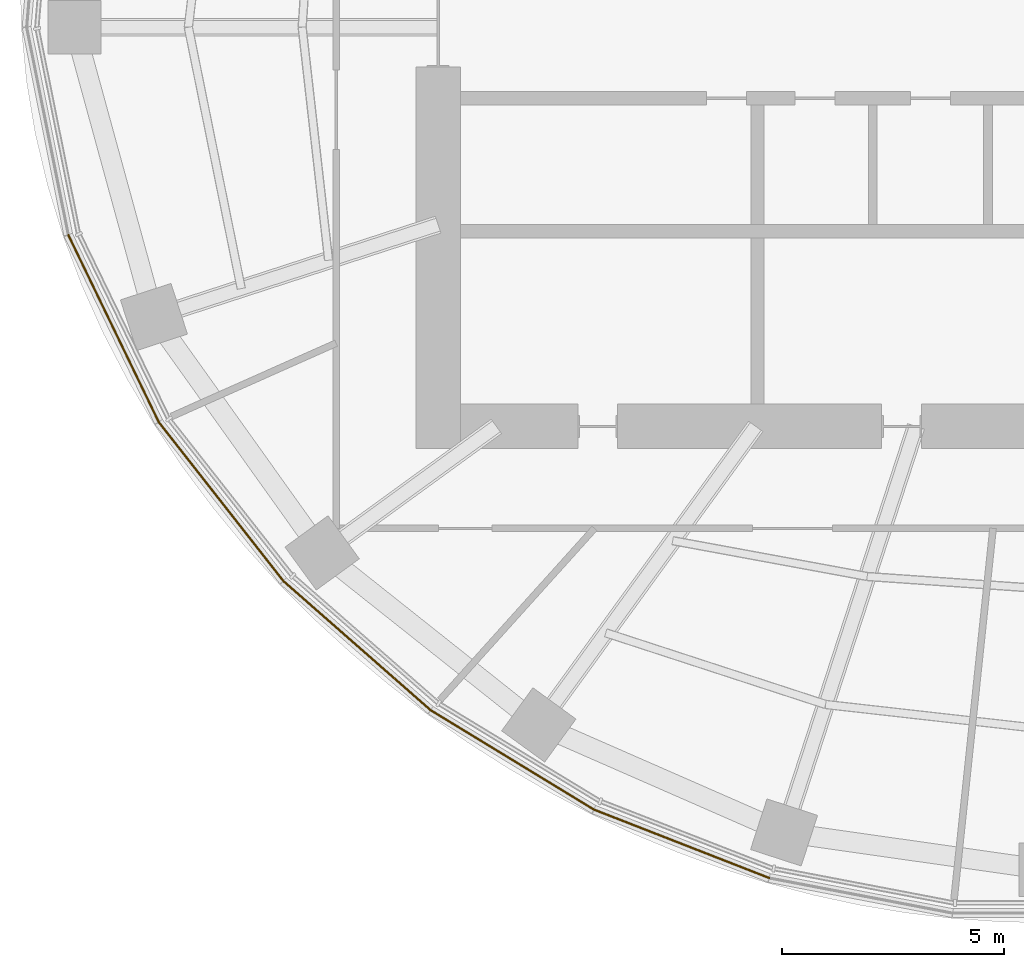
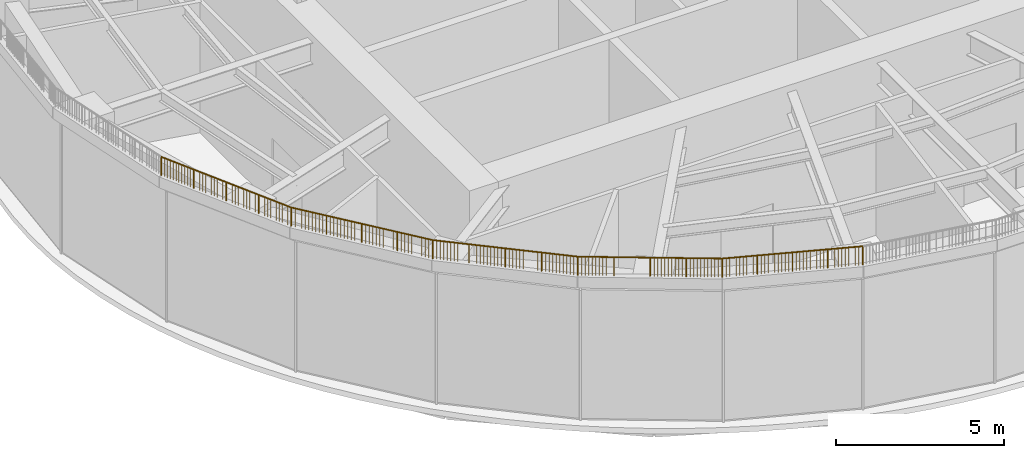
# One storey, part 13 of 19: 5 railings.
"""IFC4 building model written with IfcOpenShell, lengths in metres."""

from ifc_helpers import new_model, si_unit, direction, frame, origin, origin_2d, place, context, subcontext, project, spatial, circle, extrude, material, type_object, element, save


model = new_model("IFC4")

# Units and contexts
model_context = context("Model", 3, precision=1e-05, world=origin(), true_north=direction((0.0, 1.0)))
body_context = subcontext(model_context, "Body", "Model", "MODEL_VIEW")
ifc_project = project(units=[si_unit("LENGTHUNIT", "METRE"), si_unit("AREAUNIT", "SQUARE_METRE"), si_unit("VOLUMEUNIT", "CUBIC_METRE"), si_unit("PLANEANGLEUNIT", "RADIAN"), si_unit("MASSUNIT", "GRAM", prefix="KILO")], contexts=[model_context])

# Site, building, storey
site_placement = place(None, origin())
site = spatial("IfcSite", under=ifc_project, at=site_placement, CompositionType="ELEMENT")
building_placement = place(site_placement, origin())
building = spatial("IfcBuilding", under=site, at=building_placement, Name="Marramba Exchange Tower", CompositionType="ELEMENT")
storey_placement = place(building_placement, frame((0.0, 0.0, 277.0)))
storey = spatial("IfcBuildingStorey", under=building, at=storey_placement, Name="L67", CompositionType="ELEMENT", Elevation=277.0)

# Railings
ifc_material = material(Name="Galvanised steel guardrail", Category="steel")
railing_type = type_object("IfcRailingType", Name="Roof guardrail 1100", PredefinedType="GUARDRAIL", material=ifc_material)
railing_1_placement = place(storey_placement, frame((-22.0400390625, -4.684814453125, 5.39990234375)))
element("IfcRailing", 1, at=railing_1_placement, inside=storey, type_object=railing_type, Name="Roof guard Roof crown F17", PredefinedType="GUARDRAIL", context=body_context, shape_type="SweptSolid", body=[
    extrude(circle(Radius=0.02392578125, at=origin_2d()), frame((0.0, 0.0, 0.67578125), z_axis=(0.43525592316, -0.900306770692, 0.0), x_axis=(0.900306770692, 0.43525592316, 0.0)), (0.0, 0.0, 1.0), 4.68701171875),
    extrude(circle(Radius=0.02099609375, at=origin_2d()), origin(), (0.0, 0.0, 1.0), 0.65185546875),
    extrude(circle(Radius=0.02099609375, at=origin_2d()), frame((0.510009765625, -1.054931640625, 0.0)), (0.0, 0.0, 1.0), 0.65185546875),
    extrude(circle(Radius=0.02099609375, at=origin_2d()), frame((1.02001953125, -2.10986328125, 0.0)), (0.0, 0.0, 1.0), 0.65185546875),
    extrude(circle(Radius=0.02099609375, at=origin_2d()), frame((1.530029296875, -3.164794921875, 0.0)), (0.0, 0.0, 1.0), 0.65185546875),
    extrude(circle(Radius=0.02099609375, at=origin_2d()), frame((2.0400390625, -4.2197265625, 0.0)), (0.0, 0.0, 1.0), 0.65185546875),
    extrude(circle(Radius=0.006103515625, at=origin_2d()), frame((0.0517578125, -0.10693359375, 0.0)), (0.0, 0.0, 1.0), 0.65185546875),
    extrude(circle(Radius=0.006103515625, at=origin_2d()), frame((0.096923828125, -0.200439453125, 0.0)), (0.0, 0.0, 1.0), 0.65185546875),
    extrude(circle(Radius=0.006103515625, at=origin_2d()), frame((0.14208984375, -0.2939453125, 0.0)), (0.0, 0.0, 1.0), 0.65185546875),
    extrude(circle(Radius=0.006103515625, at=origin_2d()), frame((0.187255859375, -0.38720703125, 0.0)), (0.0, 0.0, 1.0), 0.65185546875),
    extrude(circle(Radius=0.006103515625, at=origin_2d()), frame((0.232421875, -0.480712890625, 0.0)), (0.0, 0.0, 1.0), 0.65185546875),
    extrude(circle(Radius=0.006103515625, at=origin_2d()), frame((0.277587890625, -0.57421875, 0.0)), (0.0, 0.0, 1.0), 0.65185546875),
    extrude(circle(Radius=0.006103515625, at=origin_2d()), frame((0.32275390625, -0.667724609375, 0.0)), (0.0, 0.0, 1.0), 0.65185546875),
    extrude(circle(Radius=0.006103515625, at=origin_2d()), frame((0.367919921875, -0.760986328125, 0.0)), (0.0, 0.0, 1.0), 0.65185546875),
    extrude(circle(Radius=0.006103515625, at=origin_2d()), frame((0.4130859375, -0.8544921875, 0.0)), (0.0, 0.0, 1.0), 0.65185546875),
    extrude(circle(Radius=0.006103515625, at=origin_2d()), frame((0.458251953125, -0.947998046875, 0.0)), (0.0, 0.0, 1.0), 0.65185546875),
    extrude(circle(Radius=0.006103515625, at=origin_2d()), frame((0.561767578125, -1.161865234375, 0.0)), (0.0, 0.0, 1.0), 0.65185546875),
    extrude(circle(Radius=0.006103515625, at=origin_2d()), frame((0.60693359375, -1.25537109375, 0.0)), (0.0, 0.0, 1.0), 0.65185546875),
    extrude(circle(Radius=0.006103515625, at=origin_2d()), frame((0.652099609375, -1.348876953125, 0.0)), (0.0, 0.0, 1.0), 0.65185546875),
    extrude(circle(Radius=0.006103515625, at=origin_2d()), frame((0.697265625, -1.442138671875, 0.0)), (0.0, 0.0, 1.0), 0.65185546875),
    extrude(circle(Radius=0.006103515625, at=origin_2d()), frame((0.742431640625, -1.53564453125, 0.0)), (0.0, 0.0, 1.0), 0.65185546875),
    extrude(circle(Radius=0.006103515625, at=origin_2d()), frame((0.78759765625, -1.629150390625, 0.0)), (0.0, 0.0, 1.0), 0.65185546875),
    extrude(circle(Radius=0.006103515625, at=origin_2d()), frame((0.832763671875, -1.72265625, 0.0)), (0.0, 0.0, 1.0), 0.65185546875),
    extrude(circle(Radius=0.006103515625, at=origin_2d()), frame((0.8779296875, -1.81591796875, 0.0)), (0.0, 0.0, 1.0), 0.65185546875),
    extrude(circle(Radius=0.006103515625, at=origin_2d()), frame((0.923095703125, -1.909423828125, 0.0)), (0.0, 0.0, 1.0), 0.65185546875),
    extrude(circle(Radius=0.006103515625, at=origin_2d()), frame((0.96826171875, -2.0029296875, 0.0)), (0.0, 0.0, 1.0), 0.65185546875),
    extrude(circle(Radius=0.006103515625, at=origin_2d()), frame((1.07177734375, -2.216796875, 0.0)), (0.0, 0.0, 1.0), 0.65185546875),
    extrude(circle(Radius=0.006103515625, at=origin_2d()), frame((1.116943359375, -2.310302734375, 0.0)), (0.0, 0.0, 1.0), 0.65185546875),
    extrude(circle(Radius=0.006103515625, at=origin_2d()), frame((1.162109375, -2.40380859375, 0.0)), (0.0, 0.0, 1.0), 0.65185546875),
    extrude(circle(Radius=0.006103515625, at=origin_2d()), frame((1.207275390625, -2.4970703125, 0.0)), (0.0, 0.0, 1.0), 0.65185546875),
    extrude(circle(Radius=0.006103515625, at=origin_2d()), frame((1.25244140625, -2.590576171875, 0.0)), (0.0, 0.0, 1.0), 0.65185546875),
    extrude(circle(Radius=0.006103515625, at=origin_2d()), frame((1.297607421875, -2.68408203125, 0.0)), (0.0, 0.0, 1.0), 0.65185546875),
    extrude(circle(Radius=0.006103515625, at=origin_2d()), frame((1.3427734375, -2.777587890625, 0.0)), (0.0, 0.0, 1.0), 0.65185546875),
    extrude(circle(Radius=0.006103515625, at=origin_2d()), frame((1.387939453125, -2.870849609375, 0.0)), (0.0, 0.0, 1.0), 0.65185546875),
    extrude(circle(Radius=0.006103515625, at=origin_2d()), frame((1.43310546875, -2.96435546875, 0.0)), (0.0, 0.0, 1.0), 0.65185546875),
    extrude(circle(Radius=0.006103515625, at=origin_2d()), frame((1.478271484375, -3.057861328125, 0.0)), (0.0, 0.0, 1.0), 0.65185546875),
    extrude(circle(Radius=0.006103515625, at=origin_2d()), frame((1.581787109375, -3.271728515625, 0.0)), (0.0, 0.0, 1.0), 0.65185546875),
    extrude(circle(Radius=0.006103515625, at=origin_2d()), frame((1.626953125, -3.365234375, 0.0)), (0.0, 0.0, 1.0), 0.65185546875),
    extrude(circle(Radius=0.006103515625, at=origin_2d()), frame((1.672119140625, -3.458740234375, 0.0)), (0.0, 0.0, 1.0), 0.65185546875),
    extrude(circle(Radius=0.006103515625, at=origin_2d()), frame((1.71728515625, -3.552001953125, 0.0)), (0.0, 0.0, 1.0), 0.65185546875),
    extrude(circle(Radius=0.006103515625, at=origin_2d()), frame((1.762451171875, -3.6455078125, 0.0)), (0.0, 0.0, 1.0), 0.65185546875),
    extrude(circle(Radius=0.006103515625, at=origin_2d()), frame((1.8076171875, -3.739013671875, 0.0)), (0.0, 0.0, 1.0), 0.65185546875),
    extrude(circle(Radius=0.006103515625, at=origin_2d()), frame((1.852783203125, -3.83251953125, 0.0)), (0.0, 0.0, 1.0), 0.65185546875),
    extrude(circle(Radius=0.006103515625, at=origin_2d()), frame((1.89794921875, -3.92578125, 0.0)), (0.0, 0.0, 1.0), 0.65185546875),
    extrude(circle(Radius=0.006103515625, at=origin_2d()), frame((1.943115234375, -4.019287109375, 0.0)), (0.0, 0.0, 1.0), 0.65185546875),
    extrude(circle(Radius=0.006103515625, at=origin_2d()), frame((1.98828125, -4.11279296875, 0.0)), (0.0, 0.0, 1.0), 0.65185546875),
])
railing_2_placement = place(storey_placement, frame((-20.0, -8.904541015625, 5.39990234375)))
element("IfcRailing", 2, at=railing_2_placement, inside=storey, type_object=railing_type, Name="Roof guard Roof crown F18", PredefinedType="GUARDRAIL", context=body_context, shape_type="SweptSolid", body=[
    extrude(circle(Radius=0.02392578125, at=origin_2d()), frame((0.0, 0.0, 0.67578125), z_axis=(0.617115858167, -0.786872300694, 0.0), x_axis=(0.786872300694, 0.617115858167, 0.0)), (0.0, 0.0, 1.0), 4.5546875),
    extrude(circle(Radius=0.02099609375, at=origin_2d()), origin(), (0.0, 0.0, 1.0), 0.65185546875),
    extrude(circle(Radius=0.02099609375, at=origin_2d()), frame((0.70263671875, -0.89599609375, 0.0)), (0.0, 0.0, 1.0), 0.65185546875),
    extrude(circle(Radius=0.02099609375, at=origin_2d()), frame((1.4052734375, -1.7919921875, 0.0)), (0.0, 0.0, 1.0), 0.65185546875),
    extrude(circle(Radius=0.02099609375, at=origin_2d()), frame((2.108154296875, -2.68798828125, 0.0)), (0.0, 0.0, 1.0), 0.65185546875),
    extrude(circle(Radius=0.02099609375, at=origin_2d()), frame((2.810791015625, -3.583984375, 0.0)), (0.0, 0.0, 1.0), 0.65185546875),
    extrude(circle(Radius=0.006103515625, at=origin_2d()), frame((0.07763671875, -0.09912109375, 0.0)), (0.0, 0.0, 1.0), 0.65185546875),
    extrude(circle(Radius=0.006103515625, at=origin_2d()), frame((0.14599609375, -0.186279296875, 0.0)), (0.0, 0.0, 1.0), 0.65185546875),
    extrude(circle(Radius=0.006103515625, at=origin_2d()), frame((0.214599609375, -0.2734375, 0.0)), (0.0, 0.0, 1.0), 0.65185546875),
    extrude(circle(Radius=0.006103515625, at=origin_2d()), frame((0.282958984375, -0.36083984375, 0.0)), (0.0, 0.0, 1.0), 0.65185546875),
    extrude(circle(Radius=0.006103515625, at=origin_2d()), frame((0.351318359375, -0.447998046875, 0.0)), (0.0, 0.0, 1.0), 0.65185546875),
    extrude(circle(Radius=0.006103515625, at=origin_2d()), frame((0.419677734375, -0.53515625, 0.0)), (0.0, 0.0, 1.0), 0.65185546875),
    extrude(circle(Radius=0.006103515625, at=origin_2d()), frame((0.48828125, -0.62255859375, 0.0)), (0.0, 0.0, 1.0), 0.65185546875),
    extrude(circle(Radius=0.006103515625, at=origin_2d()), frame((0.556640625, -0.709716796875, 0.0)), (0.0, 0.0, 1.0), 0.65185546875),
    extrude(circle(Radius=0.006103515625, at=origin_2d()), frame((0.625, -0.796875, 0.0)), (0.0, 0.0, 1.0), 0.65185546875),
    extrude(circle(Radius=0.006103515625, at=origin_2d()), frame((0.7802734375, -0.9951171875, 0.0)), (0.0, 0.0, 1.0), 0.65185546875),
    extrude(circle(Radius=0.006103515625, at=origin_2d()), frame((0.848876953125, -1.082275390625, 0.0)), (0.0, 0.0, 1.0), 0.65185546875),
    extrude(circle(Radius=0.006103515625, at=origin_2d()), frame((0.917236328125, -1.16943359375, 0.0)), (0.0, 0.0, 1.0), 0.65185546875),
    extrude(circle(Radius=0.006103515625, at=origin_2d()), frame((0.985595703125, -1.2568359375, 0.0)), (0.0, 0.0, 1.0), 0.65185546875),
    extrude(circle(Radius=0.006103515625, at=origin_2d()), frame((1.053955078125, -1.343994140625, 0.0)), (0.0, 0.0, 1.0), 0.65185546875),
    extrude(circle(Radius=0.006103515625, at=origin_2d()), frame((1.12255859375, -1.43115234375, 0.0)), (0.0, 0.0, 1.0), 0.65185546875),
    extrude(circle(Radius=0.006103515625, at=origin_2d()), frame((1.19091796875, -1.5185546875, 0.0)), (0.0, 0.0, 1.0), 0.65185546875),
    extrude(circle(Radius=0.006103515625, at=origin_2d()), frame((1.25927734375, -1.605712890625, 0.0)), (0.0, 0.0, 1.0), 0.65185546875),
    extrude(circle(Radius=0.006103515625, at=origin_2d()), frame((1.32763671875, -1.69287109375, 0.0)), (0.0, 0.0, 1.0), 0.65185546875),
    extrude(circle(Radius=0.006103515625, at=origin_2d()), frame((1.483154296875, -1.89111328125, 0.0)), (0.0, 0.0, 1.0), 0.65185546875),
    extrude(circle(Radius=0.006103515625, at=origin_2d()), frame((1.551513671875, -1.978271484375, 0.0)), (0.0, 0.0, 1.0), 0.65185546875),
    extrude(circle(Radius=0.006103515625, at=origin_2d()), frame((1.619873046875, -2.0654296875, 0.0)), (0.0, 0.0, 1.0), 0.65185546875),
    extrude(circle(Radius=0.006103515625, at=origin_2d()), frame((1.688232421875, -2.15283203125, 0.0)), (0.0, 0.0, 1.0), 0.65185546875),
    extrude(circle(Radius=0.006103515625, at=origin_2d()), frame((1.7568359375, -2.239990234375, 0.0)), (0.0, 0.0, 1.0), 0.65185546875),
    extrude(circle(Radius=0.006103515625, at=origin_2d()), frame((1.8251953125, -2.3271484375, 0.0)), (0.0, 0.0, 1.0), 0.65185546875),
    extrude(circle(Radius=0.006103515625, at=origin_2d()), frame((1.8935546875, -2.41455078125, 0.0)), (0.0, 0.0, 1.0), 0.65185546875),
    extrude(circle(Radius=0.006103515625, at=origin_2d()), frame((1.9619140625, -2.501708984375, 0.0)), (0.0, 0.0, 1.0), 0.65185546875),
    extrude(circle(Radius=0.006103515625, at=origin_2d()), frame((2.030517578125, -2.5888671875, 0.0)), (0.0, 0.0, 1.0), 0.65185546875),
    extrude(circle(Radius=0.006103515625, at=origin_2d()), frame((2.185791015625, -2.787109375, 0.0)), (0.0, 0.0, 1.0), 0.65185546875),
    extrude(circle(Radius=0.006103515625, at=origin_2d()), frame((2.254150390625, -2.874267578125, 0.0)), (0.0, 0.0, 1.0), 0.65185546875),
    extrude(circle(Radius=0.006103515625, at=origin_2d()), frame((2.322509765625, -2.96142578125, 0.0)), (0.0, 0.0, 1.0), 0.65185546875),
    extrude(circle(Radius=0.006103515625, at=origin_2d()), frame((2.39111328125, -3.048828125, 0.0)), (0.0, 0.0, 1.0), 0.65185546875),
    extrude(circle(Radius=0.006103515625, at=origin_2d()), frame((2.45947265625, -3.135986328125, 0.0)), (0.0, 0.0, 1.0), 0.65185546875),
    extrude(circle(Radius=0.006103515625, at=origin_2d()), frame((2.52783203125, -3.22314453125, 0.0)), (0.0, 0.0, 1.0), 0.65185546875),
    extrude(circle(Radius=0.006103515625, at=origin_2d()), frame((2.59619140625, -3.310546875, 0.0)), (0.0, 0.0, 1.0), 0.65185546875),
    extrude(circle(Radius=0.006103515625, at=origin_2d()), frame((2.664794921875, -3.397705078125, 0.0)), (0.0, 0.0, 1.0), 0.65185546875),
    extrude(circle(Radius=0.006103515625, at=origin_2d()), frame((2.733154296875, -3.48486328125, 0.0)), (0.0, 0.0, 1.0), 0.65185546875),
])
railing_3_placement = place(storey_placement, frame((-17.189208984375, -12.488525390625, 5.39990234375)))
element("IfcRailing", 3, at=railing_3_placement, inside=storey, type_object=railing_type, Name="Roof guard Roof crown F19", PredefinedType="GUARDRAIL", context=body_context, shape_type="SweptSolid", body=[
    extrude(circle(Radius=0.02392578125, at=origin_2d()), frame((0.0, 0.0, 0.67578125), z_axis=(0.751898477354, -0.659278908925, 0.0), x_axis=(0.659278908925, 0.751898477354, 0.0)), (0.0, 0.0, 1.0), 4.41796875),
    extrude(circle(Radius=0.02099609375, at=origin_2d()), origin(), (0.0, 0.0, 1.0), 0.65185546875),
    extrude(circle(Radius=0.02099609375, at=origin_2d()), frame((0.83056640625, -0.72802734375, 0.0)), (0.0, 0.0, 1.0), 0.65185546875),
    extrude(circle(Radius=0.02099609375, at=origin_2d()), frame((1.660888671875, -1.456298828125, 0.0)), (0.0, 0.0, 1.0), 0.65185546875),
    extrude(circle(Radius=0.02099609375, at=origin_2d()), frame((2.4912109375, -2.1845703125, 0.0)), (0.0, 0.0, 1.0), 0.65185546875),
    extrude(circle(Radius=0.02099609375, at=origin_2d()), frame((3.32177734375, -2.91259765625, 0.0)), (0.0, 0.0, 1.0), 0.65185546875),
    extrude(circle(Radius=0.006103515625, at=origin_2d()), frame((0.092041015625, -0.080810546875, 0.0)), (0.0, 0.0, 1.0), 0.65185546875),
    extrude(circle(Radius=0.006103515625, at=origin_2d()), frame((0.1728515625, -0.151611328125, 0.0)), (0.0, 0.0, 1.0), 0.65185546875),
    extrude(circle(Radius=0.006103515625, at=origin_2d()), frame((0.253662109375, -0.222412109375, 0.0)), (0.0, 0.0, 1.0), 0.65185546875),
    extrude(circle(Radius=0.006103515625, at=origin_2d()), frame((0.33447265625, -0.293212890625, 0.0)), (0.0, 0.0, 1.0), 0.65185546875),
    extrude(circle(Radius=0.006103515625, at=origin_2d()), frame((0.415283203125, -0.364013671875, 0.0)), (0.0, 0.0, 1.0), 0.65185546875),
    extrude(circle(Radius=0.006103515625, at=origin_2d()), frame((0.49609375, -0.434814453125, 0.0)), (0.0, 0.0, 1.0), 0.65185546875),
    extrude(circle(Radius=0.006103515625, at=origin_2d()), frame((0.576904296875, -0.505859375, 0.0)), (0.0, 0.0, 1.0), 0.65185546875),
    extrude(circle(Radius=0.006103515625, at=origin_2d()), frame((0.657470703125, -0.57666015625, 0.0)), (0.0, 0.0, 1.0), 0.65185546875),
    extrude(circle(Radius=0.006103515625, at=origin_2d()), frame((0.73828125, -0.6474609375, 0.0)), (0.0, 0.0, 1.0), 0.65185546875),
    extrude(circle(Radius=0.006103515625, at=origin_2d()), frame((0.922607421875, -0.808837890625, 0.0)), (0.0, 0.0, 1.0), 0.65185546875),
    extrude(circle(Radius=0.006103515625, at=origin_2d()), frame((1.00341796875, -0.879638671875, 0.0)), (0.0, 0.0, 1.0), 0.65185546875),
    extrude(circle(Radius=0.006103515625, at=origin_2d()), frame((1.083984375, -0.950439453125, 0.0)), (0.0, 0.0, 1.0), 0.65185546875),
    extrude(circle(Radius=0.006103515625, at=origin_2d()), frame((1.164794921875, -1.021484375, 0.0)), (0.0, 0.0, 1.0), 0.65185546875),
    extrude(circle(Radius=0.006103515625, at=origin_2d()), frame((1.24560546875, -1.09228515625, 0.0)), (0.0, 0.0, 1.0), 0.65185546875),
    extrude(circle(Radius=0.006103515625, at=origin_2d()), frame((1.326416015625, -1.1630859375, 0.0)), (0.0, 0.0, 1.0), 0.65185546875),
    extrude(circle(Radius=0.006103515625, at=origin_2d()), frame((1.4072265625, -1.23388671875, 0.0)), (0.0, 0.0, 1.0), 0.65185546875),
    extrude(circle(Radius=0.006103515625, at=origin_2d()), frame((1.488037109375, -1.3046875, 0.0)), (0.0, 0.0, 1.0), 0.65185546875),
    extrude(circle(Radius=0.006103515625, at=origin_2d()), frame((1.56884765625, -1.37548828125, 0.0)), (0.0, 0.0, 1.0), 0.65185546875),
    extrude(circle(Radius=0.006103515625, at=origin_2d()), frame((1.7529296875, -1.537109375, 0.0)), (0.0, 0.0, 1.0), 0.65185546875),
    extrude(circle(Radius=0.006103515625, at=origin_2d()), frame((1.833740234375, -1.60791015625, 0.0)), (0.0, 0.0, 1.0), 0.65185546875),
    extrude(circle(Radius=0.006103515625, at=origin_2d()), frame((1.91455078125, -1.6787109375, 0.0)), (0.0, 0.0, 1.0), 0.65185546875),
    extrude(circle(Radius=0.006103515625, at=origin_2d()), frame((1.995361328125, -1.74951171875, 0.0)), (0.0, 0.0, 1.0), 0.65185546875),
    extrude(circle(Radius=0.006103515625, at=origin_2d()), frame((2.076171875, -1.8203125, 0.0)), (0.0, 0.0, 1.0), 0.65185546875),
    extrude(circle(Radius=0.006103515625, at=origin_2d()), frame((2.156982421875, -1.89111328125, 0.0)), (0.0, 0.0, 1.0), 0.65185546875),
    extrude(circle(Radius=0.006103515625, at=origin_2d()), frame((2.23779296875, -1.962158203125, 0.0)), (0.0, 0.0, 1.0), 0.65185546875),
    extrude(circle(Radius=0.006103515625, at=origin_2d()), frame((2.318359375, -2.032958984375, 0.0)), (0.0, 0.0, 1.0), 0.65185546875),
    extrude(circle(Radius=0.006103515625, at=origin_2d()), frame((2.399169921875, -2.103759765625, 0.0)), (0.0, 0.0, 1.0), 0.65185546875),
    extrude(circle(Radius=0.006103515625, at=origin_2d()), frame((2.58349609375, -2.26513671875, 0.0)), (0.0, 0.0, 1.0), 0.65185546875),
    extrude(circle(Radius=0.006103515625, at=origin_2d()), frame((2.664306640625, -2.3359375, 0.0)), (0.0, 0.0, 1.0), 0.65185546875),
    extrude(circle(Radius=0.006103515625, at=origin_2d()), frame((2.744873046875, -2.40673828125, 0.0)), (0.0, 0.0, 1.0), 0.65185546875),
    extrude(circle(Radius=0.006103515625, at=origin_2d()), frame((2.82568359375, -2.477783203125, 0.0)), (0.0, 0.0, 1.0), 0.65185546875),
    extrude(circle(Radius=0.006103515625, at=origin_2d()), frame((2.906494140625, -2.548583984375, 0.0)), (0.0, 0.0, 1.0), 0.65185546875),
    extrude(circle(Radius=0.006103515625, at=origin_2d()), frame((2.9873046875, -2.619384765625, 0.0)), (0.0, 0.0, 1.0), 0.65185546875),
    extrude(circle(Radius=0.006103515625, at=origin_2d()), frame((3.068115234375, -2.690185546875, 0.0)), (0.0, 0.0, 1.0), 0.65185546875),
    extrude(circle(Radius=0.006103515625, at=origin_2d()), frame((3.14892578125, -2.760986328125, 0.0)), (0.0, 0.0, 1.0), 0.65185546875),
    extrude(circle(Radius=0.006103515625, at=origin_2d()), frame((3.229736328125, -2.831787109375, 0.0)), (0.0, 0.0, 1.0), 0.65185546875),
])
railing_4_placement = place(storey_placement, frame((-13.867431640625, -15.401123046875, 5.39990234375)))
element("IfcRailing", 4, at=railing_4_placement, inside=storey, type_object=railing_type, Name="Roof guard Roof crown F20", PredefinedType="GUARDRAIL", context=body_context, shape_type="SweptSolid", body=[
    extrude(circle(Radius=0.02392578125, at=origin_2d()), frame((0.0, 0.0, 0.67578125), z_axis=(0.854217149251, -0.519916398977, 0.0), x_axis=(0.519916398977, 0.854217149251, 0.0)), (0.0, 0.0, 1.0), 4.310302734375),
    extrude(circle(Radius=0.02099609375, at=origin_2d()), origin(), (0.0, 0.0, 1.0), 0.65185546875),
    extrude(circle(Radius=0.02099609375, at=origin_2d()), frame((0.92041015625, -0.560302734375, 0.0)), (0.0, 0.0, 1.0), 0.65185546875),
    extrude(circle(Radius=0.02099609375, at=origin_2d()), frame((1.8408203125, -1.12060546875, 0.0)), (0.0, 0.0, 1.0), 0.65185546875),
    extrude(circle(Radius=0.02099609375, at=origin_2d()), frame((2.761474609375, -1.6806640625, 0.0)), (0.0, 0.0, 1.0), 0.65185546875),
    extrude(circle(Radius=0.02099609375, at=origin_2d()), frame((3.681884765625, -2.240966796875, 0.0)), (0.0, 0.0, 1.0), 0.65185546875),
    extrude(circle(Radius=0.006103515625, at=origin_2d()), frame((0.102294921875, -0.062255859375, 0.0)), (0.0, 0.0, 1.0), 0.65185546875),
    extrude(circle(Radius=0.006103515625, at=origin_2d()), frame((0.19189453125, -0.11669921875, 0.0)), (0.0, 0.0, 1.0), 0.65185546875),
    extrude(circle(Radius=0.006103515625, at=origin_2d()), frame((0.28125, -0.171142578125, 0.0)), (0.0, 0.0, 1.0), 0.65185546875),
    extrude(circle(Radius=0.006103515625, at=origin_2d()), frame((0.370849609375, -0.2255859375, 0.0)), (0.0, 0.0, 1.0), 0.65185546875),
    extrude(circle(Radius=0.006103515625, at=origin_2d()), frame((0.460205078125, -0.280029296875, 0.0)), (0.0, 0.0, 1.0), 0.65185546875),
    extrude(circle(Radius=0.006103515625, at=origin_2d()), frame((0.5498046875, -0.33447265625, 0.0)), (0.0, 0.0, 1.0), 0.65185546875),
    extrude(circle(Radius=0.006103515625, at=origin_2d()), frame((0.63916015625, -0.38916015625, 0.0)), (0.0, 0.0, 1.0), 0.65185546875),
    extrude(circle(Radius=0.006103515625, at=origin_2d()), frame((0.728759765625, -0.443603515625, 0.0)), (0.0, 0.0, 1.0), 0.65185546875),
    extrude(circle(Radius=0.006103515625, at=origin_2d()), frame((0.818115234375, -0.498046875, 0.0)), (0.0, 0.0, 1.0), 0.65185546875),
    extrude(circle(Radius=0.006103515625, at=origin_2d()), frame((1.022705078125, -0.62255859375, 0.0)), (0.0, 0.0, 1.0), 0.65185546875),
    extrude(circle(Radius=0.006103515625, at=origin_2d()), frame((1.1123046875, -0.677001953125, 0.0)), (0.0, 0.0, 1.0), 0.65185546875),
    extrude(circle(Radius=0.006103515625, at=origin_2d()), frame((1.20166015625, -0.7314453125, 0.0)), (0.0, 0.0, 1.0), 0.65185546875),
    extrude(circle(Radius=0.006103515625, at=origin_2d()), frame((1.291259765625, -0.785888671875, 0.0)), (0.0, 0.0, 1.0), 0.65185546875),
    extrude(circle(Radius=0.006103515625, at=origin_2d()), frame((1.380615234375, -0.84033203125, 0.0)), (0.0, 0.0, 1.0), 0.65185546875),
    extrude(circle(Radius=0.006103515625, at=origin_2d()), frame((1.47021484375, -0.894775390625, 0.0)), (0.0, 0.0, 1.0), 0.65185546875),
    extrude(circle(Radius=0.006103515625, at=origin_2d()), frame((1.5595703125, -0.94921875, 0.0)), (0.0, 0.0, 1.0), 0.65185546875),
    extrude(circle(Radius=0.006103515625, at=origin_2d()), frame((1.649169921875, -1.003662109375, 0.0)), (0.0, 0.0, 1.0), 0.65185546875),
    extrude(circle(Radius=0.006103515625, at=origin_2d()), frame((1.738525390625, -1.05810546875, 0.0)), (0.0, 0.0, 1.0), 0.65185546875),
    extrude(circle(Radius=0.006103515625, at=origin_2d()), frame((1.943359375, -1.182861328125, 0.0)), (0.0, 0.0, 1.0), 0.65185546875),
    extrude(circle(Radius=0.006103515625, at=origin_2d()), frame((2.03271484375, -1.2373046875, 0.0)), (0.0, 0.0, 1.0), 0.65185546875),
    extrude(circle(Radius=0.006103515625, at=origin_2d()), frame((2.122314453125, -1.291748046875, 0.0)), (0.0, 0.0, 1.0), 0.65185546875),
    extrude(circle(Radius=0.006103515625, at=origin_2d()), frame((2.211669921875, -1.34619140625, 0.0)), (0.0, 0.0, 1.0), 0.65185546875),
    extrude(circle(Radius=0.006103515625, at=origin_2d()), frame((2.30126953125, -1.400634765625, 0.0)), (0.0, 0.0, 1.0), 0.65185546875),
    extrude(circle(Radius=0.006103515625, at=origin_2d()), frame((2.390625, -1.455078125, 0.0)), (0.0, 0.0, 1.0), 0.65185546875),
    extrude(circle(Radius=0.006103515625, at=origin_2d()), frame((2.480224609375, -1.509521484375, 0.0)), (0.0, 0.0, 1.0), 0.65185546875),
    extrude(circle(Radius=0.006103515625, at=origin_2d()), frame((2.569580078125, -1.56396484375, 0.0)), (0.0, 0.0, 1.0), 0.65185546875),
    extrude(circle(Radius=0.006103515625, at=origin_2d()), frame((2.6591796875, -1.618408203125, 0.0)), (0.0, 0.0, 1.0), 0.65185546875),
    extrude(circle(Radius=0.006103515625, at=origin_2d()), frame((2.86376953125, -1.742919921875, 0.0)), (0.0, 0.0, 1.0), 0.65185546875),
    extrude(circle(Radius=0.006103515625, at=origin_2d()), frame((2.953125, -1.79736328125, 0.0)), (0.0, 0.0, 1.0), 0.65185546875),
    extrude(circle(Radius=0.006103515625, at=origin_2d()), frame((3.042724609375, -1.851806640625, 0.0)), (0.0, 0.0, 1.0), 0.65185546875),
    extrude(circle(Radius=0.006103515625, at=origin_2d()), frame((3.132080078125, -1.906494140625, 0.0)), (0.0, 0.0, 1.0), 0.65185546875),
    extrude(circle(Radius=0.006103515625, at=origin_2d()), frame((3.2216796875, -1.9609375, 0.0)), (0.0, 0.0, 1.0), 0.65185546875),
    extrude(circle(Radius=0.006103515625, at=origin_2d()), frame((3.31103515625, -2.015380859375, 0.0)), (0.0, 0.0, 1.0), 0.65185546875),
    extrude(circle(Radius=0.006103515625, at=origin_2d()), frame((3.400634765625, -2.06982421875, 0.0)), (0.0, 0.0, 1.0), 0.65185546875),
    extrude(circle(Radius=0.006103515625, at=origin_2d()), frame((3.489990234375, -2.124267578125, 0.0)), (0.0, 0.0, 1.0), 0.65185546875),
    extrude(circle(Radius=0.006103515625, at=origin_2d()), frame((3.57958984375, -2.1787109375, 0.0)), (0.0, 0.0, 1.0), 0.65185546875),
])
railing_5_placement = place(storey_placement, frame((-10.185546875, -17.64208984375, 5.39990234375)))
element("IfcRailing", 5, at=railing_5_placement, inside=storey, type_object=railing_type, Name="Roof guard Roof crown F21", PredefinedType="GUARDRAIL", context=body_context, shape_type="SweptSolid", body=[
    extrude(circle(Radius=0.02392578125, at=origin_2d()), frame((0.0, 0.0, 0.67578125), z_axis=(0.931602336342, -0.363479142348, 0.0), x_axis=(0.363479142348, 0.931602336342, 0.0)), (0.0, 0.0, 1.0), 4.242431640625),
    extrude(circle(Radius=0.02099609375, at=origin_2d()), origin(), (0.0, 0.0, 1.0), 0.65185546875),
    extrude(circle(Radius=0.02099609375, at=origin_2d()), frame((0.988037109375, -0.385498046875, 0.0)), (0.0, 0.0, 1.0), 0.65185546875),
    extrude(circle(Radius=0.02099609375, at=origin_2d()), frame((1.97607421875, -0.77099609375, 0.0)), (0.0, 0.0, 1.0), 0.65185546875),
    extrude(circle(Radius=0.02099609375, at=origin_2d()), frame((2.964111328125, -1.156494140625, 0.0)), (0.0, 0.0, 1.0), 0.65185546875),
    extrude(circle(Radius=0.02099609375, at=origin_2d()), frame((3.9521484375, -1.5419921875, 0.0)), (0.0, 0.0, 1.0), 0.65185546875),
    extrude(circle(Radius=0.006103515625, at=origin_2d()), frame((0.10986328125, -0.04296875, 0.0)), (0.0, 0.0, 1.0), 0.65185546875),
    extrude(circle(Radius=0.006103515625, at=origin_2d()), frame((0.2060546875, -0.080322265625, 0.0)), (0.0, 0.0, 1.0), 0.65185546875),
    extrude(circle(Radius=0.006103515625, at=origin_2d()), frame((0.302001953125, -0.117919921875, 0.0)), (0.0, 0.0, 1.0), 0.65185546875),
    extrude(circle(Radius=0.006103515625, at=origin_2d()), frame((0.39794921875, -0.1552734375, 0.0)), (0.0, 0.0, 1.0), 0.65185546875),
    extrude(circle(Radius=0.006103515625, at=origin_2d()), frame((0.494140625, -0.19287109375, 0.0)), (0.0, 0.0, 1.0), 0.65185546875),
    extrude(circle(Radius=0.006103515625, at=origin_2d()), frame((0.590087890625, -0.230224609375, 0.0)), (0.0, 0.0, 1.0), 0.65185546875),
    extrude(circle(Radius=0.006103515625, at=origin_2d()), frame((0.68603515625, -0.267578125, 0.0)), (0.0, 0.0, 1.0), 0.65185546875),
    extrude(circle(Radius=0.006103515625, at=origin_2d()), frame((0.781982421875, -0.30517578125, 0.0)), (0.0, 0.0, 1.0), 0.65185546875),
    extrude(circle(Radius=0.006103515625, at=origin_2d()), frame((0.878173828125, -0.342529296875, 0.0)), (0.0, 0.0, 1.0), 0.65185546875),
    extrude(circle(Radius=0.006103515625, at=origin_2d()), frame((1.097900390625, -0.428466796875, 0.0)), (0.0, 0.0, 1.0), 0.65185546875),
    extrude(circle(Radius=0.006103515625, at=origin_2d()), frame((1.194091796875, -0.4658203125, 0.0)), (0.0, 0.0, 1.0), 0.65185546875),
    extrude(circle(Radius=0.006103515625, at=origin_2d()), frame((1.2900390625, -0.50341796875, 0.0)), (0.0, 0.0, 1.0), 0.65185546875),
    extrude(circle(Radius=0.006103515625, at=origin_2d()), frame((1.385986328125, -0.540771484375, 0.0)), (0.0, 0.0, 1.0), 0.65185546875),
    extrude(circle(Radius=0.006103515625, at=origin_2d()), frame((1.48193359375, -0.578125, 0.0)), (0.0, 0.0, 1.0), 0.65185546875),
    extrude(circle(Radius=0.006103515625, at=origin_2d()), frame((1.578125, -0.61572265625, 0.0)), (0.0, 0.0, 1.0), 0.65185546875),
    extrude(circle(Radius=0.006103515625, at=origin_2d()), frame((1.674072265625, -0.653076171875, 0.0)), (0.0, 0.0, 1.0), 0.65185546875),
    extrude(circle(Radius=0.006103515625, at=origin_2d()), frame((1.77001953125, -0.690673828125, 0.0)), (0.0, 0.0, 1.0), 0.65185546875),
    extrude(circle(Radius=0.006103515625, at=origin_2d()), frame((1.8662109375, -0.72802734375, 0.0)), (0.0, 0.0, 1.0), 0.65185546875),
    extrude(circle(Radius=0.006103515625, at=origin_2d()), frame((2.0859375, -0.81396484375, 0.0)), (0.0, 0.0, 1.0), 0.65185546875),
    extrude(circle(Radius=0.006103515625, at=origin_2d()), frame((2.18212890625, -0.851318359375, 0.0)), (0.0, 0.0, 1.0), 0.65185546875),
    extrude(circle(Radius=0.006103515625, at=origin_2d()), frame((2.278076171875, -0.888916015625, 0.0)), (0.0, 0.0, 1.0), 0.65185546875),
    extrude(circle(Radius=0.006103515625, at=origin_2d()), frame((2.3740234375, -0.92626953125, 0.0)), (0.0, 0.0, 1.0), 0.65185546875),
    extrude(circle(Radius=0.006103515625, at=origin_2d()), frame((2.47021484375, -0.9638671875, 0.0)), (0.0, 0.0, 1.0), 0.65185546875),
    extrude(circle(Radius=0.006103515625, at=origin_2d()), frame((2.566162109375, -1.001220703125, 0.0)), (0.0, 0.0, 1.0), 0.65185546875),
    extrude(circle(Radius=0.006103515625, at=origin_2d()), frame((2.662109375, -1.03857421875, 0.0)), (0.0, 0.0, 1.0), 0.65185546875),
    extrude(circle(Radius=0.006103515625, at=origin_2d()), frame((2.758056640625, -1.076171875, 0.0)), (0.0, 0.0, 1.0), 0.65185546875),
    extrude(circle(Radius=0.006103515625, at=origin_2d()), frame((2.854248046875, -1.113525390625, 0.0)), (0.0, 0.0, 1.0), 0.65185546875),
    extrude(circle(Radius=0.006103515625, at=origin_2d()), frame((3.073974609375, -1.199462890625, 0.0)), (0.0, 0.0, 1.0), 0.65185546875),
    extrude(circle(Radius=0.006103515625, at=origin_2d()), frame((3.170166015625, -1.23681640625, 0.0)), (0.0, 0.0, 1.0), 0.65185546875),
    extrude(circle(Radius=0.006103515625, at=origin_2d()), frame((3.26611328125, -1.2744140625, 0.0)), (0.0, 0.0, 1.0), 0.65185546875),
    extrude(circle(Radius=0.006103515625, at=origin_2d()), frame((3.362060546875, -1.311767578125, 0.0)), (0.0, 0.0, 1.0), 0.65185546875),
    extrude(circle(Radius=0.006103515625, at=origin_2d()), frame((3.4580078125, -1.34912109375, 0.0)), (0.0, 0.0, 1.0), 0.65185546875),
    extrude(circle(Radius=0.006103515625, at=origin_2d()), frame((3.55419921875, -1.38671875, 0.0)), (0.0, 0.0, 1.0), 0.65185546875),
    extrude(circle(Radius=0.006103515625, at=origin_2d()), frame((3.650146484375, -1.424072265625, 0.0)), (0.0, 0.0, 1.0), 0.65185546875),
    extrude(circle(Radius=0.006103515625, at=origin_2d()), frame((3.74609375, -1.461669921875, 0.0)), (0.0, 0.0, 1.0), 0.65185546875),
    extrude(circle(Radius=0.006103515625, at=origin_2d()), frame((3.84228515625, -1.4990234375, 0.0)), (0.0, 0.0, 1.0), 0.65185546875),
])

save(model, "model.ifc")
